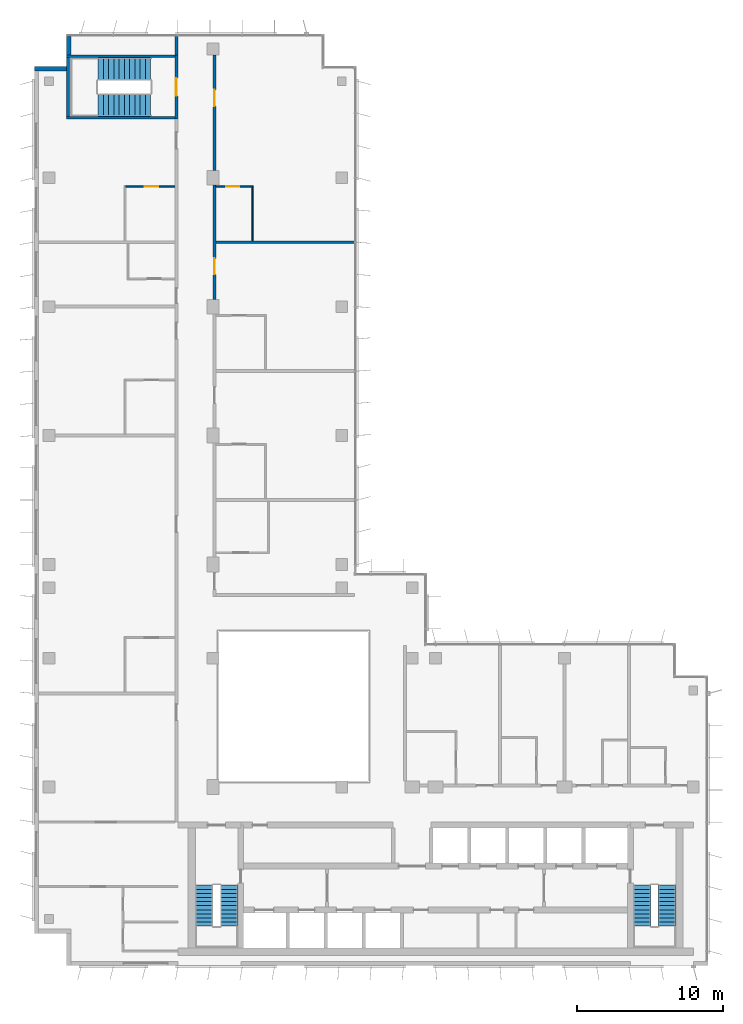
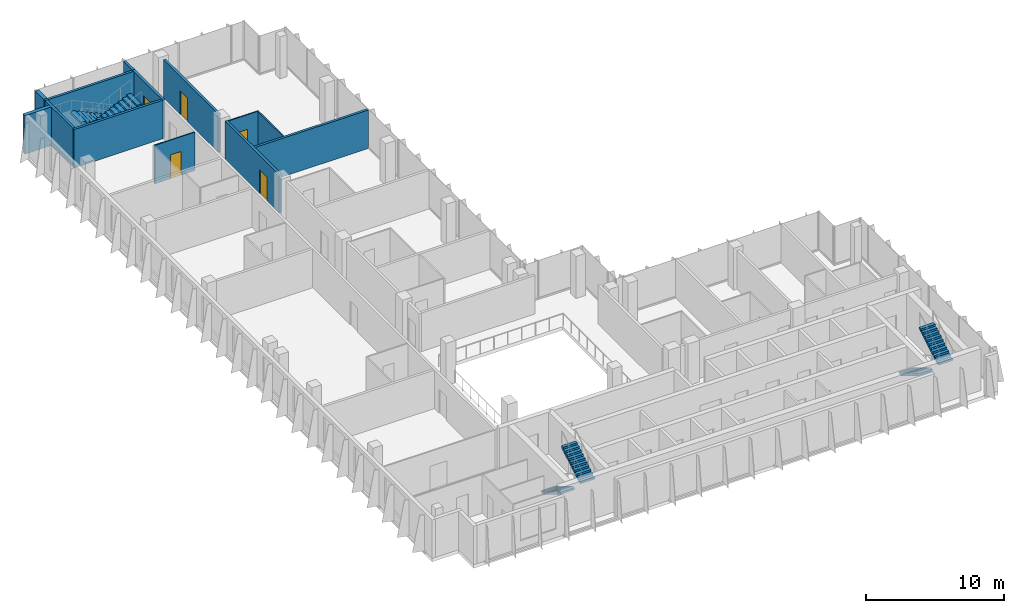
# One storey, part 12 of 15: 13 walls, 6 stair flights, 5 doors, 5 openings, 3 elements without a shape of their own.
"""IFC4 building model written with IfcOpenShell, lengths in metres."""

from ifc_helpers import new_model, si_unit, direction, frame, frame_2d, origin, place, context, subcontext, project, spatial, polyline, rectangle, outline, extrude, material, layer, layer_set, type_object, element, fill, aggregate, save


model = new_model("IFC4")

# Units and contexts
model_context = context("Model", 3, precision=1e-05, world=origin(), true_north=direction((0.0, 1.0)))
body_context = subcontext(model_context, "Body", "Model", "MODEL_VIEW")
ifc_project = project(units=[si_unit("LENGTHUNIT", "METRE"), si_unit("AREAUNIT", "SQUARE_METRE"), si_unit("VOLUMEUNIT", "CUBIC_METRE"), si_unit("PLANEANGLEUNIT", "RADIAN"), si_unit("MASSUNIT", "GRAM", prefix="KILO")], contexts=[model_context])

# Site, building, storey
site_placement = place(None, origin())
site = spatial("IfcSite", under=ifc_project, at=site_placement, CompositionType="ELEMENT")
building_placement = place(site_placement, origin())
building = spatial("IfcBuilding", under=site, at=building_placement, Name="Kemantara Hotel Tower", CompositionType="ELEMENT")
storey_placement = place(building_placement, frame((0.0, 0.0, 294.39990234375)))
storey = spatial("IfcBuildingStorey", under=building, at=storey_placement, Name="L74", CompositionType="ELEMENT", Elevation=294.39990234375)

# Walls
ifc_material_1 = material(Name="Bronze anodised aluminium cladding on insulated steel stud wall", Category="steel")
ifc_layer_1 = layer(ifc_material_1, 0.300048828125)
ifc_layer_set_1 = layer_set([ifc_layer_1], Name="Bronze anodised aluminium cladding on insulated steel stud wall")
wall_type_1 = type_object("IfcWallType", Name="BRONZE METAL-CLAD EXTERNAL WALL 300", PredefinedType="STANDARD", material=ifc_layer_set_1)
wall_1_placement = place(storey_placement, frame((2.35009765625, 63.449951171875, 0.0), z_axis=(0.0, 0.0, 1.0), x_axis=(0.0, -1.0, 0.0)))
element("IfcWall", 1, at=wall_1_placement, inside=storey, type_object=wall_type_1, Name="EXTERNAL WALL L74 T4-R03", PredefinedType="STANDARD", context=body_context, shape_type="SweptSolid", body=[
    extrude(rectangle(XDim=1.25, YDim=0.300048828125, at=frame_2d((0.625, 0.0))), origin(), (0.0, 0.0, 1.0), 3.400146484375),
])
wall_2_placement = place(storey_placement, frame((2.199951171875, 61.25, 0.0), z_axis=(0.0, 0.0, 1.0), x_axis=(-1.0, 0.0, 0.0)))
element("IfcWall", 2, at=wall_2_placement, inside=storey, type_object=wall_type_1, Name="EXTERNAL WALL L74 T4-R04", PredefinedType="STANDARD", context=body_context, shape_type="SweptSolid", body=[
    extrude(rectangle(XDim=2.199951171875, YDim=0.300048828125, at=frame_2d((1.10009765625, 0.0))), origin(), (0.0, 0.0, 1.0), 3.400146484375),
])
ifc_material_2 = material(Name="Gypsum board partition, steel studs and mineral wool, 200 mm", Category="steel")
ifc_layer_2 = layer(ifc_material_2, 0.199951171875)
ifc_layer_set_2 = layer_set([ifc_layer_2], Name="Gypsum board partition, steel studs and mineral wool, 200 mm")
wall_type_2 = type_object("IfcWallType", Name="CORRIDOR WALL 200", PredefinedType="PARTITIONING", material=ifc_layer_set_2)
wall_3_placement = place(storey_placement, frame((9.699951171875, 62.199951171875, 0.0), z_axis=(0.0, 0.0, 1.0), x_axis=(0.0, 1.0, 0.0)))
element("IfcWall", 3, at=wall_3_placement, inside=storey, type_object=wall_type_2, Name="CORRIDOR WALL 200 009", PredefinedType="PARTITIONING", context=body_context, shape_type="SweptSolid", body=[
    extrude(rectangle(XDim=1.280029296875, YDim=0.199951171875, at=frame_2d((0.64013671875, 0.0))), origin(), (0.0, 0.0, 1.0), 3.400146484375),
])

# Wall, opening, door
wall_4_placement = place(storey_placement, frame((12.300048828125, 53.2998046875, 0.0), z_axis=(0.0, 0.0, 1.0), x_axis=(0.0, -1.0, 0.0)))
wall_4 = element("IfcWall", 4, at=wall_4_placement, inside=storey, type_object=wall_type_2, Name="CORRIDOR WALL 200 018", PredefinedType="PARTITIONING", context=body_context, shape_type="SweptSolid", body=[
    extrude(rectangle(XDim=7.7998046875, YDim=0.199951171875, at=frame_2d((3.89990234375, 0.0))), origin(), (0.0, 0.0, 1.0), 3.400146484375),
])
opening_1_placement = place(wall_4_placement, frame((5.0, 0.0, 0.0)))
opening_1 = element("IfcOpeningElement", 5, at=opening_1_placement, cuts=wall_4, Name="Opening F36-026", PredefinedType="OPENING", context=body_context, shape_type="SweptSolid", body=[
    extrude(rectangle(XDim=1.10009765625, YDim=2.10009765625, at=frame_2d((0.550048828125, 1.050048828125))), frame((0.0, 0.10986328125, 0.0), z_axis=(0.0, -1.0, 0.0), x_axis=(1.0, 0.0, 0.0)), (0.0, 0.0, 1.0), 0.219970703125),
])
ifc_material_3 = material(Name="Hardwood veneer door leaf with steel frame", Category="steel")
door_type_1 = type_object("IfcDoorType", Name="SUITE ENTRANCE DOOR 1100 X 2100 FD30S", OperationType="NOTDEFINED", PredefinedType="DOOR", material=ifc_material_3)
door_1_placement = place(opening_1_placement, origin())
door_1 = element("IfcDoor", 6, at=door_1_placement, inside=storey, type_object=door_type_1, Name="SUITE ENTRANCE DOOR F36-026", OperationType="SINGLE_SWING_LEFT", OverallHeight=2.10009765625, OverallWidth=1.10009765625, PredefinedType="DOOR", context=body_context, shape_type="SweptSolid", body=[
    extrude(rectangle(XDim=1.10009765625, YDim=2.10009765625, at=frame_2d((0.550048828125, 1.050048828125))), frame((0.0, 0.02490234375, 0.0), z_axis=(0.0, -1.0, 0.0), x_axis=(1.0, 0.0, 0.0)), (0.0, 0.0, 1.0), 0.050048828125),
])
fill(opening_1, door_1)

wall_5_placement = place(storey_placement, frame((12.300048828125, 62.199951171875, 0.0), z_axis=(0.0, 0.0, 1.0), x_axis=(0.0, -1.0, 0.0)))
wall_5 = element("IfcWall", 7, at=wall_5_placement, inside=storey, type_object=wall_type_2, Name="CORRIDOR WALL 200 019", PredefinedType="PARTITIONING", context=body_context, shape_type="SweptSolid", body=[
    extrude(rectangle(XDim=7.89990234375, YDim=0.199951171875, at=frame_2d((3.949951171875, 0.0))), origin(), (0.0, 0.0, 1.0), 3.400146484375),
])
opening_2_placement = place(wall_5_placement, frame((2.39990234375, 0.0, 0.0)))
opening_2 = element("IfcOpeningElement", 8, at=opening_2_placement, cuts=wall_5, Name="Opening F36-028", PredefinedType="OPENING", context=body_context, shape_type="SweptSolid", body=[
    extrude(rectangle(XDim=1.10009765625, YDim=2.10009765625, at=frame_2d((0.550048828125, 1.050048828125))), frame((0.0, 0.10986328125, 0.0), z_axis=(0.0, -1.0, 0.0), x_axis=(1.0, 0.0, 0.0)), (0.0, 0.0, 1.0), 0.219970703125),
])
door_2_placement = place(opening_2_placement, origin())
door_2 = element("IfcDoor", 9, at=door_2_placement, inside=storey, type_object=door_type_1, Name="SUITE ENTRANCE DOOR F36-028", OperationType="SINGLE_SWING_LEFT", OverallHeight=2.10009765625, OverallWidth=1.10009765625, PredefinedType="DOOR", context=body_context, shape_type="SweptSolid", body=[
    extrude(rectangle(XDim=1.10009765625, YDim=2.10009765625, at=frame_2d((0.550048828125, 1.050048828125))), frame((0.0, 0.02490234375, 0.0), z_axis=(0.0, -1.0, 0.0), x_axis=(1.0, 0.0, 0.0)), (0.0, 0.0, 1.0), 0.050048828125),
])
fill(opening_2, door_2)

ifc_material_4 = material(Name="Concrete fc 40 MPa", Category="concrete")
ifc_layer_3 = layer(ifc_material_4, 0.199951171875)
ifc_layer_set_3 = layer_set([ifc_layer_3], Name="Concrete fc 40 MPa")
wall_type_3 = type_object("IfcWallType", Name="Concrete stair wall 200 mm", PredefinedType="SHEAR", material=ifc_layer_set_3)
wall_6_placement = place(storey_placement, frame((9.699951171875, 57.800048828125, 0.0), z_axis=(0.0, 0.0, 1.0), x_axis=(0.0, 1.0, 0.0)))
wall_6 = element("IfcWall", 10, at=wall_6_placement, inside=storey, type_object=wall_type_3, Name="Stair ST4 enclosure wall with door", PredefinedType="SHEAR", context=body_context, shape_type="SweptSolid", body=[
    extrude(rectangle(XDim=4.39990234375, YDim=0.199951171875, at=frame_2d((2.199951171875, 0.0))), origin(), (0.0, 0.0, 1.0), 3.400146484375),
])
opening_3_placement = place(wall_6_placement, frame((1.60009765625, 0.0, 0.0)))
opening_3 = element("IfcOpeningElement", 11, at=opening_3_placement, cuts=wall_6, Name="Opening ST4-C", PredefinedType="OPENING", context=body_context, shape_type="SweptSolid", body=[
    extrude(rectangle(XDim=1.199951171875, YDim=2.10009765625, at=frame_2d((0.60009765625, 1.050048828125))), frame((0.0, 0.10986328125, 0.0), z_axis=(0.0, -1.0, 0.0), x_axis=(1.0, 0.0, 0.0)), (0.0, 0.0, 1.0), 0.219970703125),
])
ifc_material_5 = material(Name="Steel fire door", Category="steel")
door_type_2 = type_object("IfcDoorType", Name="Fire door FD90 1200 x 2100", OperationType="NOTDEFINED", PredefinedType="DOOR", material=ifc_material_5)
door_3_placement = place(opening_3_placement, origin())
door_3 = element("IfcDoor", 12, at=door_3_placement, inside=storey, type_object=door_type_2, Name="Stair ST4 door", OperationType="SINGLE_SWING_RIGHT", OverallHeight=2.10009765625, OverallWidth=1.199951171875, PredefinedType="DOOR", context=body_context, shape_type="SweptSolid", body=[
    extrude(rectangle(XDim=1.199951171875, YDim=2.10009765625, at=frame_2d((0.60009765625, 1.050048828125))), frame((0.0, 0.02490234375, 0.0), z_axis=(0.0, -1.0, 0.0), x_axis=(1.0, 0.0, 0.0)), (0.0, 0.0, 1.0), 0.050048828125),
])
fill(opening_3, door_3)

# Walls
for number, where, z_axis, x_axis, name in (
    (13, (2.199951171875, 62.10009765625, 0.0), (0.0, 0.0, 1.0), (1.0, 0.0, 0.0), "Stair ST4 enclosure wall N"),
    (14, (2.199951171875, 57.89990234375, 0.0), (0.0, 0.0, 1.0), (1.0, 0.0, 0.0), "Stair ST4 enclosure wall S"),
):
    element("IfcWall", number, at=place(storey_placement, frame(where, z_axis=z_axis, x_axis=x_axis)), inside=storey, type_object=wall_type_3, Name=name, PredefinedType="SHEAR", context=body_context, shape_type="SweptSolid", body=[
        extrude(rectangle(XDim=7.400146484375, YDim=0.199951171875, at=frame_2d((3.7001953125, 0.0))), origin(), (0.0, 0.0, 1.0), 3.400146484375),
    ])
wall_7_placement = place(storey_placement, frame((2.300048828125, 58.0, 0.0), z_axis=(0.0, 0.0, 1.0), x_axis=(0.0, 1.0, 0.0)))
element("IfcWall", 15, at=wall_7_placement, inside=storey, type_object=wall_type_3, Name="Stair ST4 enclosure wall W", PredefinedType="SHEAR", context=body_context, shape_type="SweptSolid", body=[
    extrude(rectangle(XDim=4.0, YDim=0.199951171875, at=frame_2d((2.0, 0.0))), origin(), (0.0, 0.0, 1.0), 3.400146484375),
])
ifc_layer_4 = layer(ifc_material_2, 0.199951171875)
ifc_layer_set_4 = layer_set([ifc_layer_4], Name="Gypsum board partition, steel studs and mineral wool, 200 mm")
wall_type_4 = type_object("IfcWallType", Name="GUEST ROOM PARTY WALL 200", PredefinedType="PARTITIONING", material=ifc_layer_set_4)
wall_8_placement = place(storey_placement, frame((12.39990234375, 49.39990234375, 0.0), z_axis=(0.0, 0.0, 1.0), x_axis=(1.0, 0.0, 0.0)))
element("IfcWall", 16, at=wall_8_placement, inside=storey, type_object=wall_type_4, Name="GUEST ROOM PARTY WALL 200 014", PredefinedType="PARTITIONING", context=body_context, shape_type="SweptSolid", body=[
    extrude(rectangle(XDim=9.47021484375, YDim=0.199951171875, at=frame_2d((4.735107421875, 0.0))), origin(), (0.0, 0.0, 1.0), 3.400146484375),
])

# Wall, opening, door
ifc_material_6 = material(Name="Gypsum board partition on steel studs, 100 mm", Category="steel")
ifc_layer_5 = layer(ifc_material_6, 0.10009765625)
ifc_layer_set_5 = layer_set([ifc_layer_5], Name="Gypsum board partition on steel studs, 100 mm")
wall_type_5 = type_object("IfcWallType", Name="ROOM PARTITION 100", PredefinedType="PARTITIONING", material=ifc_layer_set_5)
wall_9_placement = place(storey_placement, frame((9.60009765625, 53.199951171875, 0.0), z_axis=(0.0, 0.0, 1.0), x_axis=(-1.0, 0.0, 0.0)))
wall_9 = element("IfcWall", 17, at=wall_9_placement, inside=storey, type_object=wall_type_5, Name="ROOM PARTITION 100 043", PredefinedType="PARTITIONING", context=body_context, shape_type="SweptSolid", body=[
    extrude(rectangle(XDim=3.35009765625, YDim=0.10009765625, at=frame_2d((1.675048828125, 0.0))), origin(), (0.0, 0.0, 1.0), 3.400146484375),
])
opening_4_placement = place(wall_9_placement, frame((1.14990234375, 0.0, 0.0)))
opening_4 = element("IfcOpeningElement", 18, at=opening_4_placement, cuts=wall_9, Name="Opening F36-021", PredefinedType="OPENING", context=body_context, shape_type="SweptSolid", body=[
    extrude(rectangle(XDim=0.89990234375, YDim=2.10009765625, at=frame_2d((0.449951171875, 1.050048828125))), frame((0.0, 0.06005859375, 0.0), z_axis=(0.0, -1.0, 0.0), x_axis=(1.0, 0.0, 0.0)), (0.0, 0.0, 1.0), 0.1201171875),
])
door_type_3 = type_object("IfcDoorType", Name="BATHROOM DOOR 900 X 2100", OperationType="NOTDEFINED", PredefinedType="DOOR", material=ifc_material_3)
door_4_placement = place(opening_4_placement, origin())
door_4 = element("IfcDoor", 19, at=door_4_placement, inside=storey, type_object=door_type_3, Name="BATHROOM DOOR F36-021", OperationType="SINGLE_SWING_LEFT", OverallHeight=2.10009765625, OverallWidth=0.89990234375, PredefinedType="DOOR", context=body_context, shape_type="SweptSolid", body=[
    extrude(rectangle(XDim=0.89990234375, YDim=2.10009765625, at=frame_2d((0.449951171875, 1.050048828125))), frame((0.0, 0.02490234375, 0.0), z_axis=(0.0, -1.0, 0.0), x_axis=(1.0, 0.0, 0.0)), (0.0, 0.0, 1.0), 0.050048828125),
])
fill(opening_4, door_4)

wall_10_placement = place(storey_placement, frame((14.85009765625, 53.199951171875, 0.0), z_axis=(0.0, 0.0, 1.0), x_axis=(-1.0, 0.0, 0.0)))
wall_10 = element("IfcWall", 20, at=wall_10_placement, inside=storey, type_object=wall_type_5, Name="ROOM PARTITION 100 044", PredefinedType="PARTITIONING", context=body_context, shape_type="SweptSolid", body=[
    extrude(rectangle(XDim=2.4501953125, YDim=0.10009765625, at=frame_2d((1.22509765625, 0.0))), origin(), (0.0, 0.0, 1.0), 3.400146484375),
])
opening_5_placement = place(wall_10_placement, frame((0.85009765625, 0.0, 0.0)))
opening_5 = element("IfcOpeningElement", 21, at=opening_5_placement, cuts=wall_10, Name="Opening F36-029", PredefinedType="OPENING", context=body_context, shape_type="SweptSolid", body=[
    extrude(rectangle(XDim=0.89990234375, YDim=2.10009765625, at=frame_2d((0.449951171875, 1.050048828125))), frame((0.0, 0.06005859375, 0.0), z_axis=(0.0, -1.0, 0.0), x_axis=(1.0, 0.0, 0.0)), (0.0, 0.0, 1.0), 0.1201171875),
])
door_5_placement = place(opening_5_placement, origin())
door_5 = element("IfcDoor", 22, at=door_5_placement, inside=storey, type_object=door_type_3, Name="BATHROOM DOOR F36-029", OperationType="SINGLE_SWING_RIGHT", OverallHeight=2.10009765625, OverallWidth=0.89990234375, PredefinedType="DOOR", context=body_context, shape_type="SweptSolid", body=[
    extrude(rectangle(XDim=0.89990234375, YDim=2.10009765625, at=frame_2d((0.449951171875, 1.050048828125))), frame((0.0, 0.02490234375, 0.0), z_axis=(0.0, -1.0, 0.0), x_axis=(1.0, 0.0, 0.0)), (0.0, 0.0, 1.0), 0.050048828125),
])
fill(opening_5, door_5)

# Wall
wall_11_placement = place(storey_placement, frame((14.89990234375, 49.5, 0.0), z_axis=(0.0, 0.0, 1.0), x_axis=(0.0, 1.0, 0.0)))
element("IfcWall", 23, at=wall_11_placement, inside=storey, type_object=wall_type_5, Name="ROOM PARTITION 100 051", PredefinedType="PARTITIONING", context=body_context, shape_type="SweptSolid", body=[
    extrude(rectangle(XDim=3.75, YDim=0.10009765625, at=frame_2d((1.875, 0.0))), origin(), (0.0, 0.0, 1.0), 3.400146484375),
])

# Stair, stair flights
stair_type_1 = type_object("IfcStairType", Name="Stair 1200 wide 22 risers of 168 x 280 mm", PredefinedType="HALF_TURN_STAIR", material=ifc_material_4)
stair_1_placement = place(storey_placement, origin())
stair_1 = element("IfcStair", 24, at=stair_1_placement, inside=storey, type_object=stair_type_1, Name="L74 Exit stair ST1", PredefinedType="HALF_TURN_STAIR")
stair_flight_type_1 = type_object("IfcStairFlightType", Name="Stair flight 1200 wide 168 x 280 mm", PredefinedType="STRAIGHT", material=ifc_material_4)
stair_flight_1_placement = place(storey_placement, frame((11.60009765625, 5.5, 0.0), z_axis=(0.0, 0.0, 1.0), x_axis=(0.0, -1.0, 0.0)))
stair_flight_1 = element("IfcStairFlight", 25, at=stair_flight_1_placement, type_object=stair_flight_type_1, Name="ST1 flight 1", NumberOfRisers=11, NumberOfTreads=10, PredefinedType="STRAIGHT", RiserHeight=0.168181818, TreadLength=0.28, context=body_context, shape_type="SweptSolid", body=[
    extrude(outline(polyline([(0.0, 0.0), (0.0, 0.168212890625), (0.280029296875, 0.168212890625), (0.280029296875, 0.33642578125), (0.56005859375, 0.33642578125), (0.56005859375, 0.504638671875), (0.840087890625, 0.504638671875), (0.840087890625, 0.672607421875), (1.1201171875, 0.672607421875), (1.1201171875, 0.8408203125), (1.39990234375, 0.8408203125), (1.39990234375, 1.009033203125), (1.679931640625, 1.009033203125), (1.679931640625, 1.17724609375), (1.9599609375, 1.17724609375), (1.9599609375, 1.345458984375), (2.239990234375, 1.345458984375), (2.239990234375, 1.513671875), (2.52001953125, 1.513671875), (2.52001953125, 1.681884765625), (2.800048828125, 1.681884765625), (2.800048828125, 1.85009765625), (2.800048828125, 1.5068359375), (0.291015625, 0.0), (0.0, 0.0)])), frame((0.0, 0.60009765625, 0.0), z_axis=(0.0, -1.0, 0.0), x_axis=(1.0, 0.0, 0.0)), (0.0, 0.0, 1.0), 1.199951171875),
])
stair_flight_2_placement = place(storey_placement, frame((13.300048828125, 2.699951171875, 1.85009765625), z_axis=(0.0, 0.0, 1.0), x_axis=(0.0, 1.0, 0.0)))
stair_flight_2 = element("IfcStairFlight", 26, at=stair_flight_2_placement, type_object=stair_flight_type_1, Name="ST1 flight 2", NumberOfRisers=11, NumberOfTreads=10, PredefinedType="STRAIGHT", RiserHeight=0.168181818, TreadLength=0.28, context=body_context, shape_type="SweptSolid", body=[
    extrude(outline(polyline([(0.0, 0.0), (0.0, 0.168212890625), (0.280029296875, 0.168212890625), (0.280029296875, 0.33642578125), (0.56005859375, 0.33642578125), (0.56005859375, 0.504638671875), (0.840087890625, 0.504638671875), (0.840087890625, 0.672607421875), (1.1201171875, 0.672607421875), (1.1201171875, 0.8408203125), (1.39990234375, 0.8408203125), (1.39990234375, 1.009033203125), (1.679931640625, 1.009033203125), (1.679931640625, 1.17724609375), (1.9599609375, 1.17724609375), (1.9599609375, 1.345458984375), (2.239990234375, 1.345458984375), (2.239990234375, 1.513671875), (2.52001953125, 1.513671875), (2.52001953125, 1.681884765625), (2.800048828125, 1.681884765625), (2.800048828125, 1.85009765625), (2.800048828125, 1.5068359375), (0.291015625, 0.0), (0.0, 0.0)])), frame((0.0, 0.60009765625, 0.0), z_axis=(0.0, -1.0, 0.0), x_axis=(1.0, 0.0, 0.0)), (0.0, 0.0, 1.0), 1.199951171875),
])
aggregate(stair_1, [stair_flight_1, stair_flight_2])

stair_2_placement = place(storey_placement, origin())
stair_2 = element("IfcStair", 27, at=stair_2_placement, inside=storey, type_object=stair_type_1, Name="L74 Exit stair ST2", PredefinedType="HALF_TURN_STAIR")
stair_flight_3_placement = place(storey_placement, frame((41.5, 5.5, 0.0), z_axis=(0.0, 0.0, 1.0), x_axis=(0.0, -1.0, 0.0)))
stair_flight_3 = element("IfcStairFlight", 28, at=stair_flight_3_placement, type_object=stair_flight_type_1, Name="ST2 flight 1", NumberOfRisers=11, NumberOfTreads=10, PredefinedType="STRAIGHT", RiserHeight=0.168181818, TreadLength=0.28, context=body_context, shape_type="SweptSolid", body=[
    extrude(outline(polyline([(0.0, 0.0), (0.0, 0.168212890625), (0.280029296875, 0.168212890625), (0.280029296875, 0.33642578125), (0.56005859375, 0.33642578125), (0.56005859375, 0.504638671875), (0.840087890625, 0.504638671875), (0.840087890625, 0.672607421875), (1.1201171875, 0.672607421875), (1.1201171875, 0.8408203125), (1.39990234375, 0.8408203125), (1.39990234375, 1.009033203125), (1.679931640625, 1.009033203125), (1.679931640625, 1.17724609375), (1.9599609375, 1.17724609375), (1.9599609375, 1.345458984375), (2.239990234375, 1.345458984375), (2.239990234375, 1.513671875), (2.52001953125, 1.513671875), (2.52001953125, 1.681884765625), (2.800048828125, 1.681884765625), (2.800048828125, 1.85009765625), (2.800048828125, 1.5068359375), (0.291015625, 0.0), (0.0, 0.0)])), frame((0.0, 0.60009765625, 0.0), z_axis=(0.0, -1.0, 0.0), x_axis=(1.0, 0.0, 0.0)), (0.0, 0.0, 1.0), 1.199951171875),
])
stair_flight_4_placement = place(storey_placement, frame((43.199951171875, 2.699951171875, 1.85009765625), z_axis=(0.0, 0.0, 1.0), x_axis=(0.0, 1.0, 0.0)))
stair_flight_4 = element("IfcStairFlight", 29, at=stair_flight_4_placement, type_object=stair_flight_type_1, Name="ST2 flight 2", NumberOfRisers=11, NumberOfTreads=10, PredefinedType="STRAIGHT", RiserHeight=0.168181818, TreadLength=0.28, context=body_context, shape_type="SweptSolid", body=[
    extrude(outline(polyline([(0.0, 0.0), (0.0, 0.168212890625), (0.280029296875, 0.168212890625), (0.280029296875, 0.33642578125), (0.56005859375, 0.33642578125), (0.56005859375, 0.504638671875), (0.840087890625, 0.504638671875), (0.840087890625, 0.672607421875), (1.1201171875, 0.672607421875), (1.1201171875, 0.8408203125), (1.39990234375, 0.8408203125), (1.39990234375, 1.009033203125), (1.679931640625, 1.009033203125), (1.679931640625, 1.17724609375), (1.9599609375, 1.17724609375), (1.9599609375, 1.345458984375), (2.239990234375, 1.345458984375), (2.239990234375, 1.513671875), (2.52001953125, 1.513671875), (2.52001953125, 1.681884765625), (2.800048828125, 1.681884765625), (2.800048828125, 1.85009765625), (2.800048828125, 1.5068359375), (0.291015625, 0.0), (0.0, 0.0)])), frame((0.0, 0.60009765625, 0.0), z_axis=(0.0, -1.0, 0.0), x_axis=(1.0, 0.0, 0.0)), (0.0, 0.0, 1.0), 1.199951171875),
])
aggregate(stair_2, [stair_flight_3, stair_flight_4])

stair_type_2 = type_object("IfcStairType", Name="Stair 1550 wide 22 risers of 168 x 360 mm", PredefinedType="HALF_TURN_STAIR", material=ifc_material_4)
stair_3_placement = place(storey_placement, origin())
stair_3 = element("IfcStair", 30, at=stair_3_placement, inside=storey, type_object=stair_type_2, Name="L74 Exit stair ST4", PredefinedType="HALF_TURN_STAIR")
stair_flight_type_2 = type_object("IfcStairFlightType", Name="Stair flight 1550 wide 168 x 360 mm", PredefinedType="STRAIGHT", material=ifc_material_4)
stair_flight_5_placement = place(storey_placement, frame((7.949951171875, 61.22509765625, 0.0), z_axis=(0.0, 0.0, 1.0), x_axis=(-1.0, 0.0, 0.0)))
stair_flight_5 = element("IfcStairFlight", 31, at=stair_flight_5_placement, type_object=stair_flight_type_2, Name="ST4 flight 1", NumberOfRisers=11, NumberOfTreads=10, PredefinedType="STRAIGHT", RiserHeight=0.168181818, TreadLength=0.36, context=body_context, shape_type="SweptSolid", body=[
    extrude(outline(polyline([(0.0, 0.0), (0.0, 0.168212890625), (0.360107421875, 0.168212890625), (0.360107421875, 0.33642578125), (0.719970703125, 0.33642578125), (0.719970703125, 0.504638671875), (1.080078125, 0.504638671875), (1.080078125, 0.672607421875), (1.43994140625, 0.672607421875), (1.43994140625, 0.8408203125), (1.800048828125, 0.8408203125), (1.800048828125, 1.009033203125), (2.159912109375, 1.009033203125), (2.159912109375, 1.17724609375), (2.52001953125, 1.17724609375), (2.52001953125, 1.345458984375), (2.8798828125, 1.345458984375), (2.8798828125, 1.513671875), (3.239990234375, 1.513671875), (3.239990234375, 1.681884765625), (3.60009765625, 1.681884765625), (3.60009765625, 1.85009765625), (3.60009765625, 1.516357421875), (0.354248046875, 0.0), (0.0, 0.0)])), frame((0.0, 0.77490234375, 0.0), z_axis=(0.0, -1.0, 0.0), x_axis=(1.0, 0.0, 0.0)), (0.0, 0.0, 1.0), 1.550048828125),
])
stair_flight_6_placement = place(storey_placement, frame((4.35009765625, 58.77490234375, 1.85009765625), z_axis=(0.0, 0.0, 1.0), x_axis=(1.0, 0.0, 0.0)))
stair_flight_6 = element("IfcStairFlight", 32, at=stair_flight_6_placement, type_object=stair_flight_type_2, Name="ST4 flight 2", NumberOfRisers=11, NumberOfTreads=10, PredefinedType="STRAIGHT", RiserHeight=0.168181818, TreadLength=0.36, context=body_context, shape_type="SweptSolid", body=[
    extrude(outline(polyline([(0.0, 0.0), (0.0, 0.168212890625), (0.360107421875, 0.168212890625), (0.360107421875, 0.33642578125), (0.719970703125, 0.33642578125), (0.719970703125, 0.504638671875), (1.080078125, 0.504638671875), (1.080078125, 0.672607421875), (1.43994140625, 0.672607421875), (1.43994140625, 0.8408203125), (1.800048828125, 0.8408203125), (1.800048828125, 1.009033203125), (2.159912109375, 1.009033203125), (2.159912109375, 1.17724609375), (2.52001953125, 1.17724609375), (2.52001953125, 1.345458984375), (2.8798828125, 1.345458984375), (2.8798828125, 1.513671875), (3.239990234375, 1.513671875), (3.239990234375, 1.681884765625), (3.60009765625, 1.681884765625), (3.60009765625, 1.85009765625), (3.60009765625, 1.516357421875), (0.354248046875, 0.0), (0.0, 0.0)])), frame((0.0, 0.77490234375, 0.0), z_axis=(0.0, -1.0, 0.0), x_axis=(1.0, 0.0, 0.0)), (0.0, 0.0, 1.0), 1.550048828125),
])
aggregate(stair_3, [stair_flight_5, stair_flight_6])

save(model, "model.ifc")
